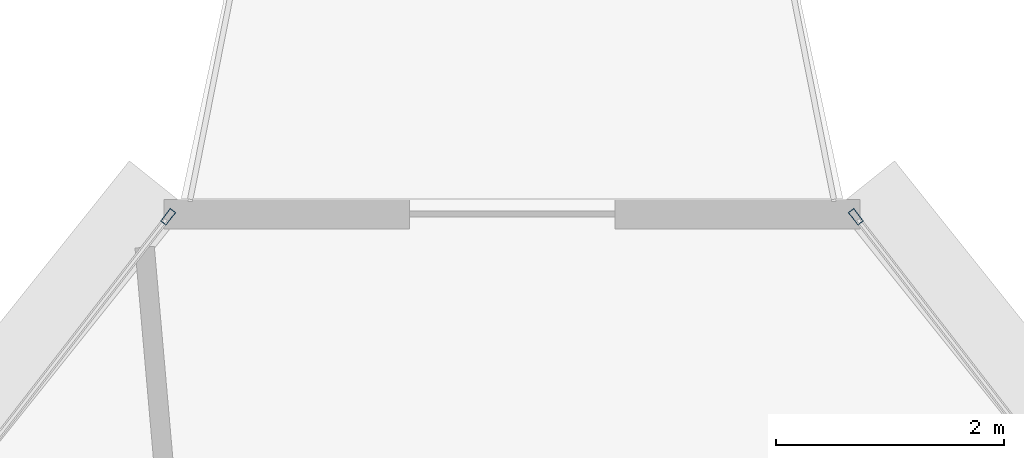
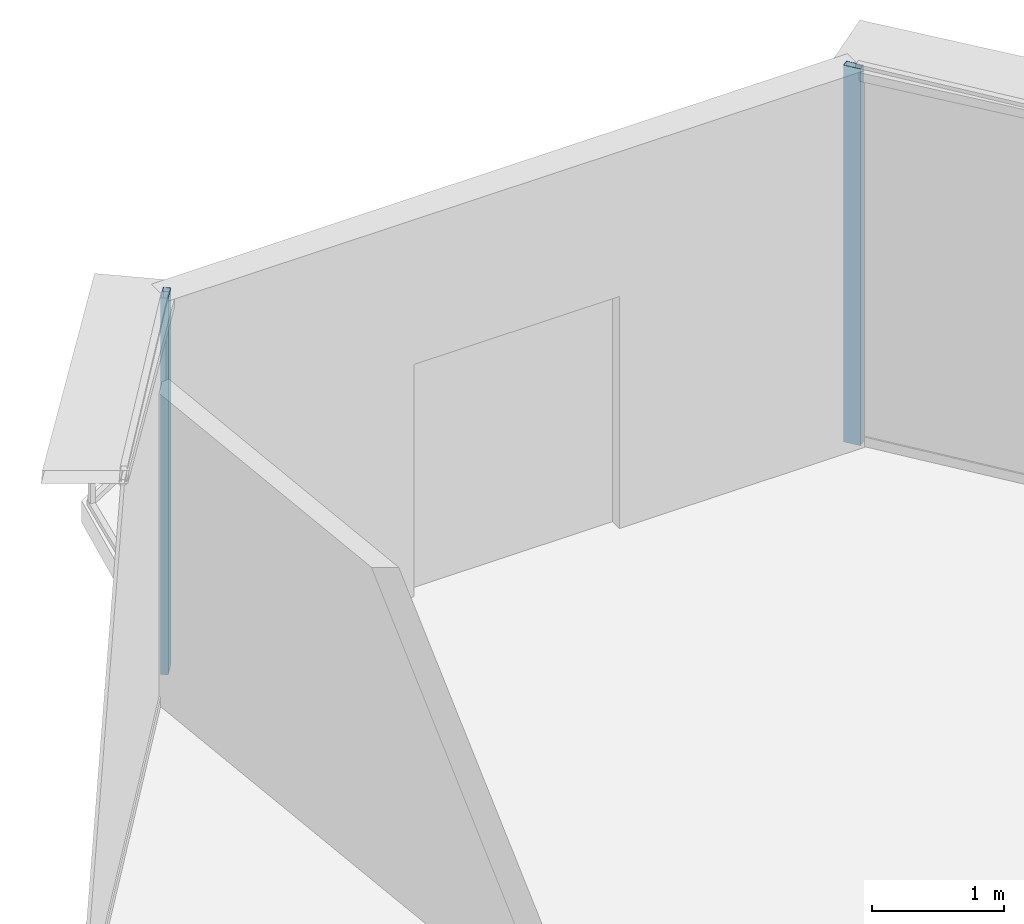
# One storey, part 19 of 30: 2 members, 2 elements without a shape of their own.
"""IFC4 building model written with IfcOpenShell, lengths in metres."""

from ifc_helpers import new_model, si_unit, direction, frame, origin, origin_2d, place, context, subcontext, project, spatial, hollow_rectangle, extrude, source, transform, mapped, material, layer, layer_set, material_profile, profile_set, type_object, element, aggregate, save


model = new_model("IFC4")

# Units and contexts
model_context = context("Model", 3, precision=1e-05, world=origin(), true_north=direction((0.0, 1.0)))
body_context = subcontext(model_context, "Body", "Model", "MODEL_VIEW")
ifc_project = project(units=[si_unit("LENGTHUNIT", "METRE"), si_unit("AREAUNIT", "SQUARE_METRE"), si_unit("VOLUMEUNIT", "CUBIC_METRE"), si_unit("PLANEANGLEUNIT", "RADIAN"), si_unit("MASSUNIT", "GRAM", prefix="KILO"), si_unit("THERMODYNAMICTEMPERATUREUNIT", "KELVIN"), si_unit("POWERUNIT", "WATT")], contexts=[model_context])

# Site, building, storey
site_placement = place(None, origin())
site = spatial("IfcSite", under=ifc_project, at=site_placement, CompositionType="ELEMENT")
building_placement = place(site_placement, origin())
building = spatial("IfcBuilding", under=site, at=building_placement, Name="Yunzhuo Pagoda Commons", CompositionType="ELEMENT")
storey_placement = place(building_placement, frame((0.0, 0.0, 351.760009765625)))
storey = spatial("IfcBuildingStorey", under=building, at=storey_placement, Name="L88", CompositionType="ELEMENT", Elevation=351.760009765625)

# Curtain wall, member
ifc_material = material(Name="Anodized aluminium 6063-T6", Category="aluminium")
ifc_layer = layer(ifc_material, 0.139892578125)
ifc_layer_set = layer_set([ifc_layer], Name="Anodized aluminium 6063-T6")
curtain_wall_type = type_object("IfcCurtainWallType", Name="CW-HI High-Zone Ribbon Curtain Wall", PredefinedType="NOTDEFINED", material=ifc_layer_set)
curtain_wall_1_placement = place(storey_placement, origin())
curtain_wall_1 = element("IfcCurtainWall", 1, at=curtain_wall_1_placement, inside=storey, type_object=curtain_wall_type, Name="L88 curtain wall CW-L88-F2B5", PredefinedType="NOTDEFINED")
ifc_material_profile = material_profile(ifc_material, hollow_rectangle(XDim=0.06005859375, YDim=0.139892578125, WallThickness=0.00341796875, at=origin_2d()), Name="Anodized aluminium 6063-T6")
ifc_profile_set = profile_set([ifc_material_profile], Name="Anodized aluminium 6063-T6")
member_type = type_object("IfcMemberType", Name="CW-HI-M Mullion RHS 140x60x3.5", PredefinedType="MULLION", material=ifc_profile_set)
shared_shape = source(origin(), body_context, "Body", "SweptSolid", [
    extrude(hollow_rectangle(XDim=0.06005859375, YDim=0.139892578125, WallThickness=0.00341796875, at=origin_2d()), origin(), (0.0, 0.0, 1.0), 3.489990234375),
])
member_1_placement = place(storey_placement, frame((51.012451171875, 70.75537109375, 0.0), z_axis=(0.0, 0.0, 1.0), x_axis=(-0.790927145065, -0.611910329378, 0.0)))
member_1 = element("IfcMember", 2, at=member_1_placement, type_object=member_type, Name="CW mullion 2", PredefinedType="MULLION", context=body_context, shape_type="MappedRepresentation", body=[
    mapped(shared_shape, transform((0.0, 0.0, 0.0), scale=1.0)),
])
aggregate(curtain_wall_1, [member_1])

curtain_wall_2_placement = place(storey_placement, origin())
curtain_wall_2 = element("IfcCurtainWall", 3, at=curtain_wall_2_placement, inside=storey, type_object=curtain_wall_type, Name="L88 curtain wall CW-L88-F3B1", PredefinedType="NOTDEFINED")
member_2_placement = place(storey_placement, frame((44.987548828125, 70.75537109375, 0.0), z_axis=(0.0, 0.0, 1.0), x_axis=(0.790927145065, -0.611910329378, 0.0)))
member_2 = element("IfcMember", 4, at=member_2_placement, type_object=member_type, Name="CW mullion 1", PredefinedType="MULLION", context=body_context, shape_type="MappedRepresentation", body=[
    mapped(shared_shape, transform((0.0, 0.0, 0.0), scale=1.0)),
])
aggregate(curtain_wall_2, [member_2])

save(model, "model.ifc")
